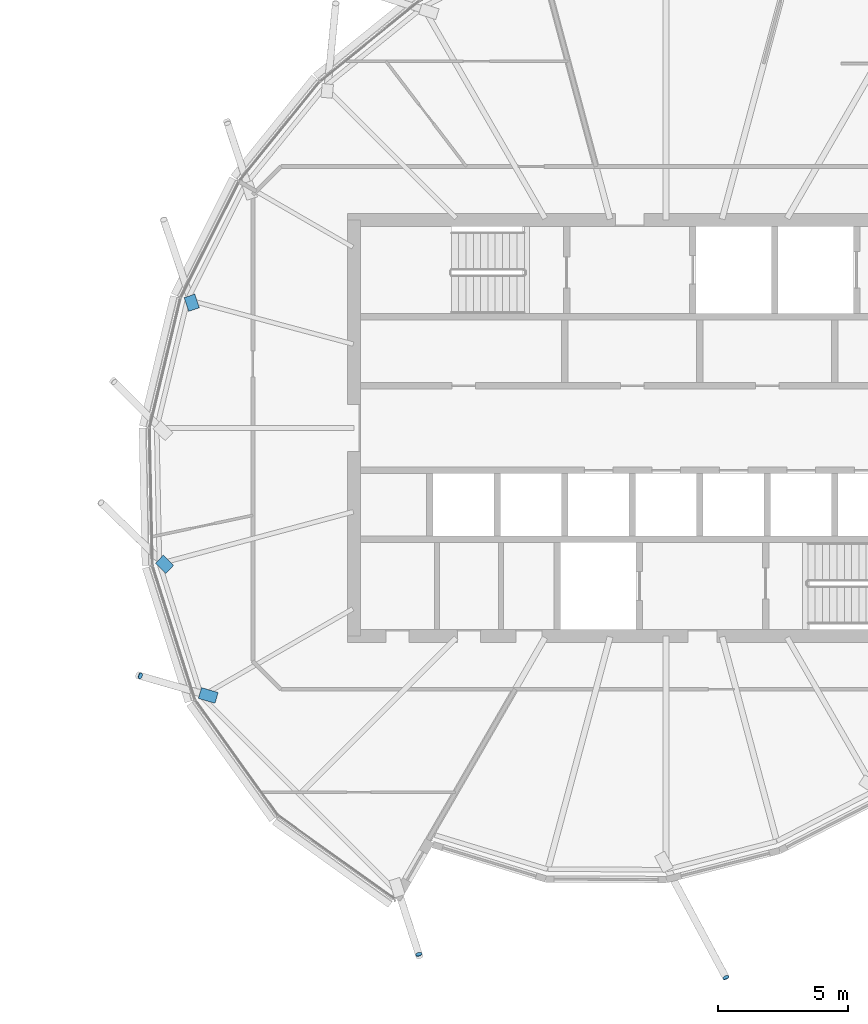
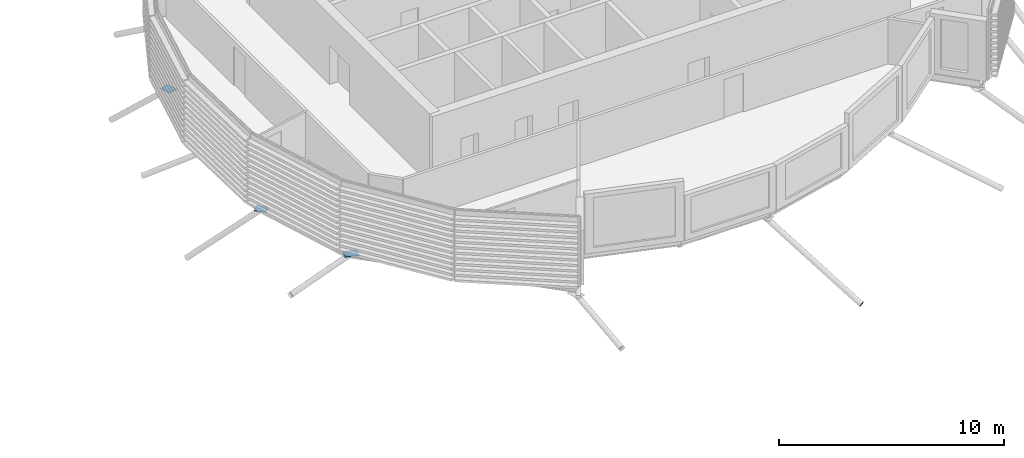
# One storey, part 29 of 38: 6 discrete accessories.
"""IFC4 building model written with IfcOpenShell, lengths in metres."""

import ifcopenshell
import ifcopenshell.guid

model = None  # the IFC model being written
_history = None  # IfcOwnerHistory: only IFC2X3 demands one
_inside = {}  # id of a spatial element -> (the spatial element, [elements in it])
_under = {}  # id of a project, library or spatial element -> (it, [spatial elements below it])
_declared = {}  # id of a project -> (the project, [libraries it declares])
_typed = {}  # id of a type object -> (the type object, [elements of that type])
_made_of = {}  # id of a material, layer set ... -> (it, [elements and type objects made of it])


def new_model(schema):
    """Start an empty IFC model of exactly this schema.

    Asked for "IFC4X3", IfcOpenShell would pick the latest addendum, in which some entities
    have other attributes; the version numbers below select the first issue.
    IFC2X3 requires an IfcOwnerHistory on every rooted entity: one is made here for all.
    """
    global model, _history
    if schema == "IFC4X3":
        model = ifcopenshell.file(schema_version=(4, 3, 0, 0))
    else:
        model = ifcopenshell.file(schema=schema)
    _inside.clear()
    _under.clear()
    _declared.clear()
    _typed.clear()
    _made_of.clear()
    _history = None
    if model.schema == "IFC2X3":
        org = make("IfcOrganization", Name="unknown")
        user = make(
            "IfcPersonAndOrganization",
            ThePerson=make("IfcPerson", FamilyName="unknown"),
            TheOrganization=org,
        )
        app = make(
            "IfcApplication",
            ApplicationDeveloper=org,
            Version="unknown",
            ApplicationFullName="unknown",
            ApplicationIdentifier="unknown",
        )
        _history = make(
            "IfcOwnerHistory",
            OwningUser=user,
            OwningApplication=app,
            ChangeAction="ADDED",
            CreationDate=0,
        )
    return model


def make(cls, **values):
    """One entity of the class cls with the attributes given. An attribute that is None is left unset."""
    return model.create_entity(
        cls, **{name: value for name, value in values.items() if value is not None}
    )


def rooted(cls, **values):
    """An entity with a GlobalId (a new one), such as an element, a storey or a relation."""
    return make(cls, GlobalId=ifcopenshell.guid.new(), OwnerHistory=_history, **values)


def si_unit(unit_type, name, prefix=None):
    """IfcSIUnit, for example si_unit("LENGTHUNIT", "METRE", prefix="MILLI")."""
    return make("IfcSIUnit", UnitType=unit_type, Prefix=prefix, Name=name)


def assignment(units):
    """IfcUnitAssignment: the units of a project."""
    return None if units is None else make("IfcUnitAssignment", Units=units)


def point(xyz):
    """IfcCartesianPoint."""
    return None if xyz is None else make("IfcCartesianPoint", Coordinates=xyz)


def direction(xyz):
    """IfcDirection."""
    return None if xyz is None else make("IfcDirection", DirectionRatios=xyz)


def frame(location, z_axis=None, x_axis=None):
    """IfcAxis2Placement3D, a coordinate frame: its origin and axes. An axis left out is left unset."""
    return make(
        "IfcAxis2Placement3D",
        Location=point(location),
        Axis=direction(z_axis),
        RefDirection=direction(x_axis),
    )


def frame_2d(location, x_axis=None):
    """IfcAxis2Placement2D, a coordinate frame in the plane: its origin and x axis."""
    return make(
        "IfcAxis2Placement2D", Location=point(location), RefDirection=direction(x_axis)
    )


def origin():
    """The frame at (0, 0, 0) with its axes left unset."""
    return frame((0.0, 0.0, 0.0))


def origin_2d():
    """The frame at (0, 0) in the plane with its x axis left unset."""
    return frame_2d((0.0, 0.0))


def place(relative_to, where):
    """IfcLocalPlacement: puts the frame where relative to a parent placement (None: the world)."""
    return make(
        "IfcLocalPlacement", PlacementRelTo=relative_to, RelativePlacement=where
    )


def context(
    kind, dimensions, precision=None, world=None, true_north=None, identifier=None
):
    """IfcGeometricRepresentationContext, for example the 3D "Model" context."""
    return make(
        "IfcGeometricRepresentationContext",
        ContextIdentifier=identifier,
        ContextType=kind,
        CoordinateSpaceDimension=dimensions,
        Precision=precision,
        WorldCoordinateSystem=world,
        TrueNorth=true_north,
    )


def subcontext(parent, identifier, kind, view, scale=None):
    """IfcGeometricRepresentationSubContext, for example "Body" below "Model"."""
    return make(
        "IfcGeometricRepresentationSubContext",
        ContextIdentifier=identifier,
        ContextType=kind,
        ParentContext=parent,
        TargetScale=scale,
        TargetView=view,
    )


def project(units=None, contexts=None):
    """IfcProject with its units and contexts."""
    return rooted(
        "IfcProject",
        Name="project",
        RepresentationContexts=contexts,
        UnitsInContext=assignment(units),
    )


def spatial(cls, under=None, at=None, **own):
    """A site, building, storey or space (cls), placed at a placement, below another one or the project."""
    s = rooted(cls, ObjectPlacement=at, **own)
    if under is not None:
        _under.setdefault(under.id(), (under, []))[1].append(s)
    return s


def polyline(points):
    """IfcPolyline through the points."""
    return make("IfcPolyline", Points=[point(p) for p in points])


def profile(cls, at=None, kind="AREA", **sizes):
    """A parametric profile (cls). Its sizes go by their IFC names, for example OverallWidth=200.0."""
    return make(cls, ProfileType=kind, Position=at, **sizes)


def rectangle(**sizes):
    """IfcRectangleProfileDef."""
    return profile("IfcRectangleProfileDef", **sizes)


def circle(**sizes):
    """IfcCircleProfileDef."""
    return profile("IfcCircleProfileDef", **sizes)


def outline(outer, holes=None, kind="AREA"):
    """IfcArbitraryClosedProfileDef: a profile drawn as a closed curve; with holes, ...WithVoids."""
    if holes is None:
        return make("IfcArbitraryClosedProfileDef", ProfileType=kind, OuterCurve=outer)
    return make(
        "IfcArbitraryProfileDefWithVoids",
        ProfileType=kind,
        OuterCurve=outer,
        InnerCurves=holes,
    )


def extrude(swept, where, along, depth):
    """IfcExtrudedAreaSolid: the profile swept, set in the frame where, extruded along a direction by depth."""
    return make(
        "IfcExtrudedAreaSolid",
        SweptArea=swept,
        Position=where,
        ExtrudedDirection=direction(along),
        Depth=depth,
    )


def shape(context_of_items, identifier, shape_type, items):
    """IfcShapeRepresentation: the items that make up one representation, for example the "Body"."""
    return make(
        "IfcShapeRepresentation",
        ContextOfItems=context_of_items,
        RepresentationIdentifier=identifier,
        RepresentationType=shape_type,
        Items=items,
    )


def material(Name=None, Category=None):
    """IfcMaterial."""
    return make("IfcMaterial", Name=Name, Category=Category)


def material_profile(
    of_material, cross_section, Name=None, Category=None, Priority=None
):
    """IfcMaterialProfile: a cross section and its material."""
    return make(
        "IfcMaterialProfile",
        Name=Name,
        Material=of_material,
        Profile=cross_section,
        Priority=Priority,
        Category=Category,
    )


def profile_set(profiles, Name=None, composite=None):
    """IfcMaterialProfileSet."""
    return make(
        "IfcMaterialProfileSet",
        Name=Name,
        MaterialProfiles=profiles,
        CompositeProfile=composite,
    )


def made_of(thing, what):
    """Note that an element or type object is made of a material, layer set ...; save() writes the relation."""
    if what is not None:
        _made_of.setdefault(what.id(), (what, []))[1].append(thing)
    return thing


def type_object(cls, material=None, **own):
    """A type object (cls), such as IfcWallType, which elements share."""
    return made_of(rooted(cls, **own), material)


def element(
    cls,
    number,
    at=None,
    inside=None,
    cuts=None,
    type_object=None,
    material=None,
    context=None,
    identifier="Body",
    shape_type=None,
    held_by="IfcProductDefinitionShape",
    body=None,
    shapes=None,
    **own,
):
    """One element of the class cls, such as IfcWall. Its Tag is "e" and its number.

    at: its placement. inside: the storey or other place that contains it. cuts: it is an
    opening in that element (IfcRelVoidsElement). A single representation is given by context,
    identifier, shape_type and body (its items); several are given by shapes. held_by: the class
    of the entity that holds the representations. save() writes the other relations.
    """
    e = rooted(cls, Tag="e%d" % number, ObjectPlacement=at, **own)
    if body is not None:
        shapes = [shape(context, identifier, shape_type, body)]
    if shapes is not None:
        e.Representation = make(held_by, Representations=shapes)
    if inside is not None:
        _inside.setdefault(inside.id(), (inside, []))[1].append(e)
    if cuts is not None:
        rooted(
            "IfcRelVoidsElement", RelatingBuildingElement=cuts, RelatedOpeningElement=e
        )
    if type_object is not None:
        _typed.setdefault(type_object.id(), (type_object, []))[1].append(e)
    return made_of(e, material)


def aggregate(whole, parts):
    """IfcRelAggregates: a whole, such as a stair, and the parts it consists of."""
    return rooted("IfcRelAggregates", RelatingObject=whole, RelatedObjects=parts)


def save(model, path):
    """Write the relations noted so far, then the file.

    IfcRelAggregates (storeys below a building ...), IfcRelContainedInSpatialStructure (elements
    in a storey), IfcRelDefinesByType, IfcRelAssociatesMaterial and IfcRelDeclares: one each for
    every whole, place, type object, material and project.
    """
    for whole, parts in _under.values():
        aggregate(whole, parts)
    for where, things in _inside.values():
        rooted(
            "IfcRelContainedInSpatialStructure",
            RelatedElements=things,
            RelatingStructure=where,
        )
    for kind, things in _typed.values():
        rooted("IfcRelDefinesByType", RelatedObjects=things, RelatingType=kind)
    for what, things in _made_of.values():
        rooted("IfcRelAssociatesMaterial", RelatedObjects=things, RelatingMaterial=what)
    for by, libraries in _declared.values():
        rooted("IfcRelDeclares", RelatingContext=by, RelatedDefinitions=libraries)
    model.write(path)


model = new_model("IFC4")

# Units and contexts
model_context = context("Model", 3, precision=1e-05, world=origin(), true_north=direction((0.0, 1.0)))
body_context = subcontext(model_context, "Body", "Model", "MODEL_VIEW")
ifc_project = project(units=[si_unit("LENGTHUNIT", "METRE"), si_unit("AREAUNIT", "SQUARE_METRE"), si_unit("VOLUMEUNIT", "CUBIC_METRE"), si_unit("PLANEANGLEUNIT", "RADIAN"), si_unit("MASSUNIT", "GRAM", prefix="KILO")], contexts=[model_context])

# Site, building, storey
site_placement = place(None, origin())
site = spatial("IfcSite", under=ifc_project, at=site_placement, CompositionType="ELEMENT")
building_placement = place(site_placement, origin())
building = spatial("IfcBuilding", under=site, at=building_placement, Name="Rimbun Link Towers", CompositionType="ELEMENT")
storey_placement = place(building_placement, frame((0.0, 0.0, 218.10009765625)))
storey = spatial("IfcBuildingStorey", under=building, at=storey_placement, Name="L53", CompositionType="ELEMENT", Elevation=218.10009765625)

# Discrete accessories
ifc_material_1 = material(Name="Steel S355J2H", Category="steel")
ifc_material_profile_1 = material_profile(ifc_material_1, circle(Radius=0.1240234375, at=origin_2d()), Name="PL D248")
ifc_profile_set_1 = profile_set([ifc_material_profile_1], Name="Steel S355J2H")
discrete_accessory_type_1 = type_object("IfcDiscreteAccessoryType", Name="Link foot sealing plate D248X20", PredefinedType="BRACKET", material=ifc_profile_set_1)
for number, where, z_axis, x_axis, name in (
    (1, (11.5458984375, -9.532958984375, -2.248291015625), (-0.813332028814, 0.230646396231, -0.534128496535), (-0.272824100275, -0.962063932548, 0.0), "Link foot sealing plate T2 L53 11"),
    (2, (22.2431640625, -20.226806640625, -2.387939453125), (0.255056548141, -0.813751844069, -0.522258646194), (0.954226213926, 0.299085828245, 0.0), "Link foot sealing plate T2 L53 13"),
    (3, (34.046875, -21.1171875, -3.630859375), (0.401990890525, -0.767437154638, -0.499443227621), (0.88583153528, 0.464006994671, 0.0), "Link foot sealing plate T2 L53 15"),
):
    element("IfcDiscreteAccessory", number, at=place(storey_placement, frame(where, z_axis=z_axis, x_axis=x_axis)), inside=storey, type_object=discrete_accessory_type_1, Name=name, PredefinedType="BRACKET", context=body_context, shape_type="SweptSolid", body=[
        extrude(circle(Radius=0.1240234375, at=origin_2d()), origin(), (0.0, 0.0, 1.0), 0.02001953125),
    ])
ifc_material_2 = material(Name="Steel S355J2H", Category="steel")
ifc_material_profile_2 = material_profile(ifc_material_2, rectangle(XDim=0.43310546875, YDim=0.43310546875, at=origin_2d()), Name="PL 433x433")
ifc_profile_set_2 = profile_set([ifc_material_profile_2], Name="Steel S355J2H")
discrete_accessory_type_2 = type_object("IfcDiscreteAccessoryType", Name="Link head end plate 433X20", PredefinedType="BRACKET", material=ifc_profile_set_2)
discrete_accessory_1_placement = place(storey_placement, frame((0.0, 0.0, -0.51513671875)))
element("IfcDiscreteAccessory", 4, at=discrete_accessory_1_placement, inside=storey, type_object=discrete_accessory_type_2, Name="Link head end plate T2 L53 08", PredefinedType="BRACKET", context=body_context, shape_type="SweptSolid", body=[
    extrude(outline(polyline([(13.810791015625, 4.620361328125), (13.63330078125, 5.146240234375), (13.22314453125, 5.0078125), (13.400390625, 4.482177734375), (13.810791015625, 4.620361328125)])), origin(), (0.0, 0.0, 1.0), 0.02001953125),
])
discrete_accessory_2_placement = place(storey_placement, frame((0.0, 0.0, -0.56640625)))
element("IfcDiscreteAccessory", 5, at=discrete_accessory_2_placement, inside=storey, type_object=discrete_accessory_type_2, Name="Link head end plate T2 L53 10", PredefinedType="BRACKET", context=body_context, shape_type="SweptSolid", body=[
    extrude(outline(polyline([(12.8212890625, -5.28076171875), (12.4208984375, -4.891845703125), (12.119140625, -5.202392578125), (12.519287109375, -5.59130859375), (12.8212890625, -5.28076171875)])), origin(), (0.0, 0.0, 1.0), 0.02001953125),
])
discrete_accessory_3_placement = place(storey_placement, frame((0.0, 0.0, -0.51513671875)))
element("IfcDiscreteAccessory", 6, at=discrete_accessory_3_placement, inside=storey, type_object=discrete_accessory_type_2, Name="Link head end plate T2 L53 11", PredefinedType="BRACKET", context=body_context, shape_type="SweptSolid", body=[
    extrude(outline(polyline([(14.53271484375, -10.16796875), (13.891845703125, -9.9833984375), (13.77197265625, -10.3994140625), (14.412841796875, -10.583984375), (14.53271484375, -10.16796875)])), origin(), (0.0, 0.0, 1.0), 0.02001953125),
])

save(model, "model.ifc")
